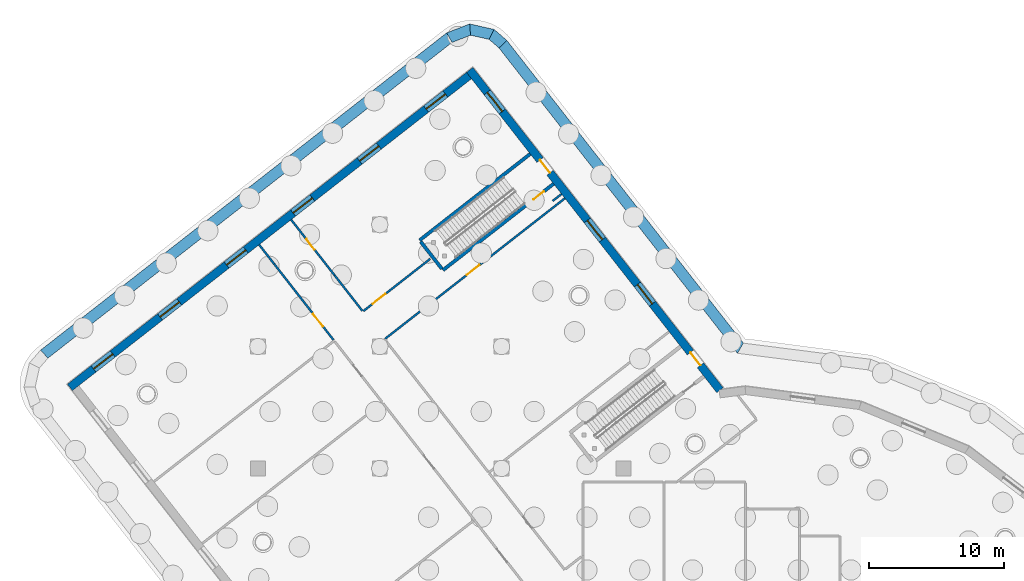
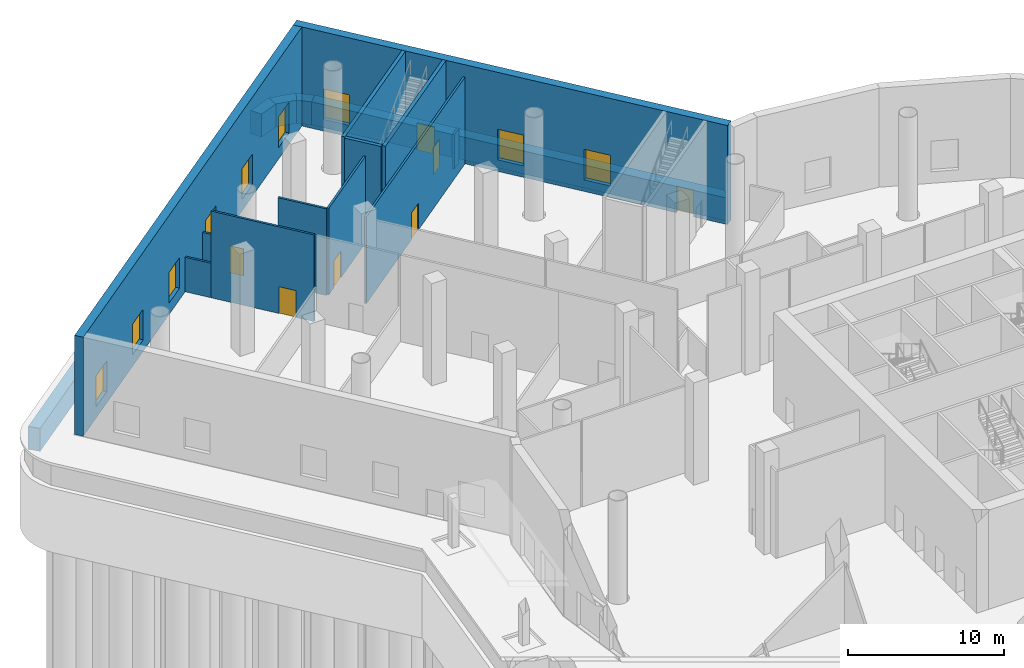
# One storey, part 18 of 34: 17 walls, 9 windows, 7 doors, 16 openings.
"""IFC4 building model written with IfcOpenShell, lengths in metres."""

from ifc_helpers import new_model, si_unit, direction, frame, frame_2d, origin, place, context, subcontext, project, spatial, polyline, rectangle, outline, extrude, material, layer, layer_set, type_object, element, fill, save


model = new_model("IFC4")

# Units and contexts
model_context = context("Model", 3, precision=1e-05, world=origin(), true_north=direction((0.0, 1.0)))
body_context = subcontext(model_context, "Body", "Model", "MODEL_VIEW")
ifc_project = project(units=[si_unit("LENGTHUNIT", "METRE"), si_unit("AREAUNIT", "SQUARE_METRE"), si_unit("VOLUMEUNIT", "CUBIC_METRE"), si_unit("PLANEANGLEUNIT", "RADIAN"), si_unit("MASSUNIT", "GRAM", prefix="KILO")], contexts=[model_context])

# Site, building, storey
site_placement = place(None, origin())
site = spatial("IfcSite", under=ifc_project, at=site_placement, CompositionType="ELEMENT")
building_placement = place(site_placement, origin())
building = spatial("IfcBuilding", under=site, at=building_placement, Name="Tarsis Ring Headquarters", CompositionType="ELEMENT")
storey_placement = place(building_placement, origin())
storey = spatial("IfcBuildingStorey", under=building, at=storey_placement, Name="L00", CompositionType="ELEMENT", Elevation=0.0)

# Walls
ifc_material_1 = material(Name="Concrete C40/50", Category="concrete")
ifc_layer_1 = layer(ifc_material_1, 0.800048828125)
ifc_layer_set_1 = layer_set([ifc_layer_1], Name="FD Plinth wall 800")
wall_type_1 = type_object("IfcWallType", Name="FD Plinth wall 800", PredefinedType="SOLIDWALL", material=ifc_layer_set_1)
wall_1_placement = place(storey_placement, frame((0.0, 0.0, -2.0)))
element("IfcWall", 1, at=wall_1_placement, inside=storey, type_object=wall_type_1, Name="Plinth wall 16", PredefinedType="SOLIDWALL", context=body_context, shape_type="SweptSolid", body=[
    extrude(outline(polyline([(-0.1513671875, 36.25244140625), (-17.6123046875, 58.601318359375), (-18.19482421875, 58.047607421875), (-0.578857421875, 35.500244140625), (-0.1513671875, 36.25244140625)])), origin(), (0.0, 0.0, 1.0), 1.800048828125),
])
wall_2_placement = place(storey_placement, frame((0.0, 0.0, -2.0)))
element("IfcWall", 2, at=wall_2_placement, inside=storey, type_object=wall_type_1, Name="Plinth wall 17", PredefinedType="SOLIDWALL", context=body_context, shape_type="SweptSolid", body=[
    extrude(outline(polyline([(-17.6123046875, 58.601318359375), (-18.556396484375, 59.418701171875), (-18.927734375, 58.68212890625), (-18.19482421875, 58.047607421875), (-17.6123046875, 58.601318359375)])), origin(), (0.0, 0.0, 1.0), 1.800048828125),
])
wall_3_placement = place(storey_placement, frame((0.0, 0.0, -2.0)))
element("IfcWall", 3, at=wall_3_placement, inside=storey, type_object=wall_type_1, Name="Plinth wall 18", PredefinedType="SOLIDWALL", context=body_context, shape_type="SweptSolid", body=[
    extrude(outline(polyline([(-18.556396484375, 59.418701171875), (-20.359375, 59.822509765625), (-20.29638671875, 58.98876953125), (-18.927734375, 58.68212890625), (-18.556396484375, 59.418701171875)])), origin(), (0.0, 0.0, 1.0), 1.800048828125),
])
wall_4_placement = place(storey_placement, frame((0.0, 0.0, -2.0)))
element("IfcWall", 4, at=wall_4_placement, inside=storey, type_object=wall_type_1, Name="Plinth wall 19", PredefinedType="SOLIDWALL", context=body_context, shape_type="SweptSolid", body=[
    extrude(outline(polyline([(-20.359375, 59.822509765625), (-22.057861328125, 59.161376953125), (-21.657958984375, 58.45849609375), (-20.29638671875, 58.98876953125), (-20.359375, 59.822509765625)])), origin(), (0.0, 0.0, 1.0), 1.800048828125),
])
wall_5_placement = place(storey_placement, frame((0.0, 0.0, -2.0)))
element("IfcWall", 5, at=wall_5_placement, inside=storey, type_object=wall_type_1, Name="Plinth wall 20", PredefinedType="SOLIDWALL", context=body_context, shape_type="SweptSolid", body=[
    extrude(outline(polyline([(-22.057861328125, 59.161376953125), (-52.05224609375, 35.727294921875), (-51.498291015625, 35.144775390625), (-21.657958984375, 58.45849609375), (-22.057861328125, 59.161376953125)])), origin(), (0.0, 0.0, 1.0), 1.800048828125),
])

# Wall, opening, door
ifc_material_2 = material(Name="Plasterboard partition")
ifc_layer_2 = layer(ifc_material_2, 0.14990234375)
ifc_layer_set_2 = layer_set([ifc_layer_2], Name="PO-PW150")
wall_type_2 = type_object("IfcWallType", Name="PO-PW150", PredefinedType="PARTITIONING", material=ifc_layer_set_2)
wall_6_placement = place(storey_placement, frame((-30.337158203125, 41.264404296875, 0.0), z_axis=(0.0, 0.0, 1.0), x_axis=(-0.615634030884, 0.788032194785, 0.0)))
wall_6 = element("IfcWall", 6, at=wall_6_placement, inside=storey, type_object=wall_type_2, Name="L00 partition wall 64", PredefinedType="PARTITIONING", context=body_context, shape_type="SweptSolid", body=[
    extrude(rectangle(XDim=5.205810546875, YDim=0.14990234375, at=frame_2d((2.60302734375, 0.0))), origin(), (0.0, 0.0, 1.0), 2.699951171875),
])
opening_1_placement = place(wall_6_placement, frame((2.391845703125, 0.0, 0.0)))
opening_1 = element("IfcOpeningElement", 7, at=opening_1_placement, cuts=wall_6, Name="Opening PO-D1A", PredefinedType="OPENING", context=body_context, shape_type="SweptSolid", body=[
    extrude(rectangle(XDim=1.0, YDim=2.10009765625, at=frame_2d((0.5, 1.050048828125))), frame((0.0, 0.0849609375, 0.0), z_axis=(0.0, -1.0, 0.0), x_axis=(1.0, 0.0, 0.0)), (0.0, 0.0, 1.0), 0.169921875),
])
ifc_material_3 = material(Name="Timber door", Category="wood")
door_type_1 = type_object("IfcDoorType", Name="PO-D1000-UNRATED", OperationType="NOTDEFINED", PredefinedType="DOOR", material=ifc_material_3)
door_1_placement = place(opening_1_placement, origin())
door_1 = element("IfcDoor", 8, at=door_1_placement, inside=storey, type_object=door_type_1, Name="Retail kiosk door", OperationType="SINGLE_SWING_LEFT", OverallHeight=2.10009765625, OverallWidth=1.0, PredefinedType="DOOR", context=body_context, shape_type="SweptSolid", body=[
    extrude(rectangle(XDim=1.0, YDim=2.10009765625, at=frame_2d((0.5, 1.050048828125))), frame((0.0, 0.02490234375, 0.0), z_axis=(0.0, -1.0, 0.0), x_axis=(1.0, 0.0, 0.0)), (0.0, 0.0, 1.0), 0.050048828125),
])
fill(opening_1, door_1)

# Walls
wall_7_placement = place(storey_placement, frame((-34.79736328125, 42.09912109375, 0.0), z_axis=(0.0, 0.0, 1.0), x_axis=(-0.614831297284, 0.788658656124, 0.0)))
element("IfcWall", 9, at=wall_7_placement, inside=storey, type_object=wall_type_2, Name="L00 partition wall 91", PredefinedType="PARTITIONING", context=body_context, shape_type="SweptSolid", body=[
    extrude(rectangle(XDim=1.802001953125, YDim=0.14990234375, at=frame_2d((0.90087890625, 0.0))), origin(), (0.0, 0.0, 1.0), 2.699951171875),
])
wall_8_placement = place(storey_placement, frame((-13.57470703125, 47.261474609375, 0.0), z_axis=(0.0, 0.0, 1.0), x_axis=(-0.788095913843, -0.615552459652, 0.0)))
element("IfcWall", 10, at=wall_8_placement, inside=storey, type_object=wall_type_2, Name="L00 partition wall 99", PredefinedType="PARTITIONING", context=body_context, shape_type="SweptSolid", body=[
    extrude(rectangle(XDim=0.82763671875, YDim=0.14990234375, at=frame_2d((0.413818359375, 0.0))), origin(), (0.0, 0.0, 1.0), 2.699951171875),
])

# Wall, opening, door
ifc_layer_3 = layer(ifc_material_2, 0.14990234375)
ifc_layer_set_3 = layer_set([ifc_layer_3], Name="PO-PW150R-6783")
wall_type_3 = type_object("IfcWallType", Name="PO-PW150R-6783", PredefinedType="PARTITIONING", material=ifc_layer_set_3)
wall_9_placement = place(storey_placement, frame((-13.3271484375, 46.944580078125, 0.0), z_axis=(0.0, 0.0, 1.0), x_axis=(-0.788009225699, -0.615663430953, 0.0)))
wall_9 = element("IfcWall", 11, at=wall_9_placement, inside=storey, type_object=wall_type_3, Name="L00 partition wall 5", PredefinedType="PARTITIONING", context=body_context, shape_type="SweptSolid", body=[
    extrude(rectangle(XDim=16.860107421875, YDim=0.14990234375, at=frame_2d((8.43017578125, 0.0))), origin(), (0.0, 0.0, 1.0), 6.782958984375),
])
opening_2_placement = place(wall_9_placement, frame((7.99560546875, 0.0, 0.0)))
opening_2 = element("IfcOpeningElement", 12, at=opening_2_placement, cuts=wall_9, Name="Opening PO-D2", PredefinedType="OPENING", context=body_context, shape_type="SweptSolid", body=[
    extrude(rectangle(XDim=1.199951171875, YDim=2.10009765625, at=frame_2d((0.60009765625, 1.050048828125))), frame((0.0, 0.0849609375, 0.0), z_axis=(0.0, -1.0, 0.0), x_axis=(1.0, 0.0, 0.0)), (0.0, 0.0, 1.0), 0.169921875),
])
door_type_2 = type_object("IfcDoorType", Name="PO-D1200", OperationType="NOTDEFINED", PredefinedType="DOOR", material=ifc_material_3)
door_2_placement = place(opening_2_placement, origin())
door_2 = element("IfcDoor", 13, at=door_2_placement, inside=storey, type_object=door_type_2, Name="Gallery cafe door", OperationType="SINGLE_SWING_RIGHT", OverallHeight=2.10009765625, OverallWidth=1.199951171875, PredefinedType="DOOR", context=body_context, shape_type="SweptSolid", body=[
    extrude(rectangle(XDim=1.199951171875, YDim=2.10009765625, at=frame_2d((0.60009765625, 1.050048828125))), frame((0.0, 0.02490234375, 0.0), z_axis=(0.0, -1.0, 0.0), x_axis=(1.0, 0.0, 0.0)), (0.0, 0.0, 1.0), 0.050048828125),
])
fill(opening_2, door_2)

wall_10_placement = place(storey_placement, frame((-30.41650390625, 36.49169921875, 0.0), z_axis=(0.0, 0.0, 1.0), x_axis=(-0.615649368355, 0.788020212459, 0.0)))
wall_10 = element("IfcWall", 14, at=wall_10_placement, inside=storey, type_object=wall_type_3, Name="L00 partition wall 44", PredefinedType="PARTITIONING", context=body_context, shape_type="SweptSolid", body=[
    extrude(rectangle(XDim=7.11572265625, YDim=0.14990234375, at=frame_2d((3.557861328125, 0.0))), origin(), (0.0, 0.0, 1.0), 6.782958984375),
])
opening_3_placement = place(wall_10_placement, frame((1.241943359375, 0.0, 0.0)))
opening_3 = element("IfcOpeningElement", 15, at=opening_3_placement, cuts=wall_10, Name="Opening PO-D2", PredefinedType="OPENING", context=body_context, shape_type="SweptSolid", body=[
    extrude(rectangle(XDim=1.199951171875, YDim=2.10009765625, at=frame_2d((0.60009765625, 1.050048828125))), frame((0.0, 0.0849609375, 0.0), z_axis=(0.0, -1.0, 0.0), x_axis=(1.0, 0.0, 0.0)), (0.0, 0.0, 1.0), 0.169921875),
])
door_3_placement = place(opening_3_placement, origin())
door_3 = element("IfcDoor", 16, at=door_3_placement, inside=storey, type_object=door_type_2, Name="Curatorial office door", OperationType="SINGLE_SWING_RIGHT", OverallHeight=2.10009765625, OverallWidth=1.199951171875, PredefinedType="DOOR", context=body_context, shape_type="SweptSolid", body=[
    extrude(rectangle(XDim=1.199951171875, YDim=2.10009765625, at=frame_2d((0.60009765625, 1.050048828125))), frame((0.0, 0.02490234375, 0.0), z_axis=(0.0, -1.0, 0.0), x_axis=(1.0, 0.0, 0.0)), (0.0, 0.0, 1.0), 0.050048828125),
])
fill(opening_3, door_3)

wall_11_placement = place(storey_placement, frame((-28.2138671875, 38.61328125, 0.0), z_axis=(0.0, 0.0, 1.0), x_axis=(0.788015523673, 0.61565536987, 0.0)))
wall_11 = element("IfcWall", 17, at=wall_11_placement, inside=storey, type_object=wall_type_3, Name="L00 partition wall 52", PredefinedType="PARTITIONING", context=body_context, shape_type="SweptSolid", body=[
    extrude(rectangle(XDim=6.2734375, YDim=0.14990234375, at=frame_2d((3.13671875, 0.0))), origin(), (0.0, 0.0, 1.0), 6.782958984375),
])
opening_4_placement = place(wall_11_placement, frame((0.8837890625, 0.0, 0.0)))
opening_4 = element("IfcOpeningElement", 18, at=opening_4_placement, cuts=wall_11, Name="Opening PO-D2", PredefinedType="OPENING", context=body_context, shape_type="SweptSolid", body=[
    extrude(rectangle(XDim=1.199951171875, YDim=2.10009765625, at=frame_2d((0.60009765625, 1.050048828125))), frame((0.0, 0.0849609375, 0.0), z_axis=(0.0, -1.0, 0.0), x_axis=(1.0, 0.0, 0.0)), (0.0, 0.0, 1.0), 0.169921875),
])
door_4_placement = place(opening_4_placement, origin())
door_4 = element("IfcDoor", 19, at=door_4_placement, inside=storey, type_object=door_type_2, Name="Exhibition gallery door", OperationType="SINGLE_SWING_LEFT", OverallHeight=2.10009765625, OverallWidth=1.199951171875, PredefinedType="DOOR", context=body_context, shape_type="SweptSolid", body=[
    extrude(rectangle(XDim=1.199951171875, YDim=2.10009765625, at=frame_2d((0.60009765625, 1.050048828125))), frame((0.0, 0.02490234375, 0.0), z_axis=(0.0, -1.0, 0.0), x_axis=(1.0, 0.0, 0.0)), (0.0, 0.0, 1.0), 0.050048828125),
])
fill(opening_4, door_4)

# Wall
wall_12_placement = place(storey_placement, frame((-30.336181640625, 41.26513671875, 0.0), z_axis=(0.0, 0.0, 1.0), x_axis=(0.615631261575, -0.788034358243, 0.0)))
element("IfcWall", 20, at=wall_12_placement, inside=storey, type_object=wall_type_3, Name="L00 partition wall 69", PredefinedType="PARTITIONING", context=body_context, shape_type="SweptSolid", body=[
    extrude(rectangle(XDim=3.33642578125, YDim=0.14990234375, at=frame_2d((1.668212890625, 0.0))), origin(), (0.0, 0.0, 1.0), 6.782958984375),
])

# Wall, opening, door
ifc_layer_4 = layer(ifc_material_1, 0.25)
ifc_layer_set_4 = layer_set([ifc_layer_4], Name="PO-W250")
wall_type_4 = type_object("IfcWallType", Name="PO-W250", PredefinedType="SOLIDWALL", material=ifc_layer_set_4)
wall_13_placement = place(storey_placement, frame((-14.163818359375, 48.015380859375, 0.0), z_axis=(0.0, 0.0, 1.0), x_axis=(-0.788278990398, -0.61531799364, 0.0)))
wall_13 = element("IfcWall", 21, at=wall_13_placement, inside=storey, type_object=wall_type_4, Name="L00 shaft wall 19", PredefinedType="SOLIDWALL", context=body_context, shape_type="SweptSolid", body=[
    extrude(rectangle(XDim=10.362060546875, YDim=0.25, at=frame_2d((5.18115234375, 0.0))), origin(), (0.0, 0.0, 1.0), 7.75),
])
opening_5_placement = place(wall_13_placement, frame((0.89697265625, 0.0, 0.0)))
opening_5 = element("IfcOpeningElement", 22, at=opening_5_placement, cuts=wall_13, Name="Opening PO-D3", PredefinedType="OPENING", context=body_context, shape_type="SweptSolid", body=[
    extrude(rectangle(XDim=1.0, YDim=2.10009765625, at=frame_2d((0.5, 1.050048828125))), frame((0.0, 0.135009765625, 0.0), z_axis=(0.0, -1.0, 0.0), x_axis=(1.0, 0.0, 0.0)), (0.0, 0.0, 1.0), 0.27001953125),
])
ifc_material_4 = material(Name="Steel fire door", Category="steel")
door_type_3 = type_object("IfcDoorType", Name="PO-D1000F", OperationType="SINGLE_SWING_LEFT", PredefinedType="DOOR", material=ifc_material_4)
door_5_placement = place(opening_5_placement, origin())
door_5 = element("IfcDoor", 23, at=door_5_placement, inside=storey, type_object=door_type_3, Name="Exit stair 4 door", OperationType="SINGLE_SWING_LEFT", OverallHeight=2.10009765625, OverallWidth=1.0, PredefinedType="DOOR", context=body_context, shape_type="SweptSolid", body=[
    extrude(rectangle(XDim=1.0, YDim=2.10009765625, at=frame_2d((0.5, 1.050048828125))), frame((0.0, 0.02490234375, 0.0), z_axis=(0.0, -1.0, 0.0), x_axis=(1.0, 0.0, 0.0)), (0.0, 0.0, 1.0), 0.050048828125),
])
fill(opening_5, door_5)

# Walls
wall_14_placement = place(storey_placement, frame((-24.054931640625, 43.8466796875, 0.0), z_axis=(0.0, 0.0, 1.0), x_axis=(0.788277592166, 0.615319784899, 0.0)))
element("IfcWall", 24, at=wall_14_placement, inside=storey, type_object=wall_type_4, Name="L00 shaft wall 20", PredefinedType="SOLIDWALL", context=body_context, shape_type="SweptSolid", body=[
    extrude(rectangle(XDim=10.36083984375, YDim=0.25, at=frame_2d((5.180419921875, 0.0))), origin(), (0.0, 0.0, 1.0), 7.75),
])
wall_15_placement = place(storey_placement, frame((-22.412109375, 41.741943359375, 0.0), z_axis=(0.0, 0.0, 1.0), x_axis=(-0.615283967859, 0.788305549197, 0.0)))
element("IfcWall", 25, at=wall_15_placement, inside=storey, type_object=wall_type_4, Name="L00 shaft wall 83", PredefinedType="SOLIDWALL", context=body_context, shape_type="SweptSolid", body=[
    extrude(rectangle(XDim=2.539794921875, YDim=0.25, at=frame_2d((1.27001953125, 0.0))), origin(), (0.0, 0.0, 1.0), 7.75),
])

# Wall, openings, doors, windows
ifc_material_5 = material(Name="Concrete C60/75", Category="concrete")
ifc_layer_5 = layer(ifc_material_5, 0.60009765625)
ifc_layer_set_5 = layer_set([ifc_layer_5], Name="PO-W600")
wall_type_5 = type_object("IfcWallType", Name="PO-W600", PredefinedType="SOLIDWALL", material=ifc_layer_set_5)
wall_16_placement = place(storey_placement, frame((-20.35693359375, 56.429443359375, 0.0), z_axis=(0.0, 0.0, 1.0), x_axis=(0.615664714742, -0.788008222687, 0.0)))
wall_16 = element("IfcWall", 26, at=wall_16_placement, inside=storey, type_object=wall_type_5, Name="L00 external wall 23", PredefinedType="SOLIDWALL", context=body_context, shape_type="SweptSolid", body=[
    extrude(rectangle(XDim=30.02197265625, YDim=0.60009765625, at=frame_2d((15.010986328125, 0.0))), origin(), (0.0, 0.0, 1.0), 7.75),
])
opening_6_placement = place(wall_16_placement, frame((20.115234375, 0.0, 0.89990234375)))
opening_6 = element("IfcOpeningElement", 27, at=opening_6_placement, cuts=wall_16, Name="Opening PO-WN1", PredefinedType="OPENING", context=body_context, shape_type="SweptSolid", body=[
    extrude(rectangle(XDim=1.800048828125, YDim=2.39990234375, at=frame_2d((0.89990234375, 1.199951171875))), frame((0.0, 0.31005859375, 0.0), z_axis=(0.0, -1.0, 0.0), x_axis=(1.0, 0.0, 0.0)), (0.0, 0.0, 1.0), 0.6201171875),
])
opening_7_placement = place(wall_16_placement, frame((14.111083984375, 0.0, 0.89990234375)))
opening_7 = element("IfcOpeningElement", 28, at=opening_7_placement, cuts=wall_16, Name="Opening PO-WN1", PredefinedType="OPENING", context=body_context, shape_type="SweptSolid", body=[
    extrude(rectangle(XDim=1.800048828125, YDim=2.39990234375, at=frame_2d((0.89990234375, 1.199951171875))), frame((0.0, 0.31005859375, 0.0), z_axis=(0.0, -1.0, 0.0), x_axis=(1.0, 0.0, 0.0)), (0.0, 0.0, 1.0), 0.6201171875),
])
opening_8_placement = place(wall_16_placement, frame((2.102294921875, 0.0, 0.89990234375)))
opening_8 = element("IfcOpeningElement", 29, at=opening_8_placement, cuts=wall_16, Name="Opening PO-WN1", PredefinedType="OPENING", context=body_context, shape_type="SweptSolid", body=[
    extrude(rectangle(XDim=1.800048828125, YDim=2.39990234375, at=frame_2d((0.89990234375, 1.199951171875))), frame((0.0, 0.31005859375, 0.0), z_axis=(0.0, -1.0, 0.0), x_axis=(1.0, 0.0, 0.0)), (0.0, 0.0, 1.0), 0.6201171875),
])
opening_9_placement = place(wall_16_placement, frame((26.480224609375, 0.0, 0.0)))
opening_9 = element("IfcOpeningElement", 30, at=opening_9_placement, cuts=wall_16, Name="Opening PO-D6", PredefinedType="OPENING", context=body_context, shape_type="SweptSolid", body=[
    extrude(rectangle(XDim=1.199951171875, YDim=2.10009765625, at=frame_2d((0.60009765625, 1.050048828125))), frame((0.0, 0.31005859375, 0.0), z_axis=(0.0, -1.0, 0.0), x_axis=(1.0, 0.0, 0.0)), (0.0, 0.0, 1.0), 0.6201171875),
])
opening_10_placement = place(wall_16_placement, frame((8.44091796875, 0.0, 0.0)))
opening_10 = element("IfcOpeningElement", 31, at=opening_10_placement, cuts=wall_16, Name="Opening PO-D6", PredefinedType="OPENING", context=body_context, shape_type="SweptSolid", body=[
    extrude(rectangle(XDim=1.199951171875, YDim=2.10009765625, at=frame_2d((0.60009765625, 1.050048828125))), frame((0.0, 0.31005859375, 0.0), z_axis=(0.0, -1.0, 0.0), x_axis=(1.0, 0.0, 0.0)), (0.0, 0.0, 1.0), 0.6201171875),
])
ifc_material_6 = material(Name="Steel door", Category="steel")
door_type_4 = type_object("IfcDoorType", Name="PO-D1200X", OperationType="SINGLE_SWING_RIGHT", PredefinedType="DOOR", material=ifc_material_6)
door_6_placement = place(opening_9_placement, origin())
door_6 = element("IfcDoor", 32, at=door_6_placement, inside=storey, type_object=door_type_4, Name="Exit stair 3 discharge door", OperationType="SINGLE_SWING_RIGHT", OverallHeight=2.10009765625, OverallWidth=1.199951171875, PredefinedType="DOOR", context=body_context, shape_type="SweptSolid", body=[
    extrude(rectangle(XDim=1.199951171875, YDim=2.10009765625, at=frame_2d((0.60009765625, 1.050048828125))), frame((0.0, 0.02490234375, 0.0), z_axis=(0.0, -1.0, 0.0), x_axis=(1.0, 0.0, 0.0)), (0.0, 0.0, 1.0), 0.050048828125),
])
fill(opening_9, door_6)
door_7_placement = place(opening_10_placement, origin())
door_7 = element("IfcDoor", 33, at=door_7_placement, inside=storey, type_object=door_type_4, Name="Exit stair 4 discharge door", OperationType="SINGLE_SWING_RIGHT", OverallHeight=2.10009765625, OverallWidth=1.199951171875, PredefinedType="DOOR", context=body_context, shape_type="SweptSolid", body=[
    extrude(rectangle(XDim=1.199951171875, YDim=2.10009765625, at=frame_2d((0.60009765625, 1.050048828125))), frame((0.0, 0.02490234375, 0.0), z_axis=(0.0, -1.0, 0.0), x_axis=(1.0, 0.0, 0.0)), (0.0, 0.0, 1.0), 0.050048828125),
])
fill(opening_10, door_7)
ifc_material_7 = material(Name="Double glazing", Category="glass")
window_type = type_object("IfcWindowType", Name="PO-WN1800", PartitioningType="SINGLE_PANEL", PredefinedType="WINDOW", material=ifc_material_7)
window_1_placement = place(opening_6_placement, origin())
window_1 = element("IfcWindow", 34, at=window_1_placement, inside=storey, type_object=window_type, Name="L00 window 23.1", OverallHeight=2.39990234375, OverallWidth=1.800048828125, PartitioningType="SINGLE_PANEL", PredefinedType="WINDOW", context=body_context, shape_type="SweptSolid", body=[
    extrude(rectangle(XDim=1.800048828125, YDim=2.39990234375, at=frame_2d((0.89990234375, 1.199951171875))), frame((0.0, 0.030029296875, 0.0), z_axis=(0.0, -1.0, 0.0), x_axis=(1.0, 0.0, 0.0)), (0.0, 0.0, 1.0), 0.06005859375),
])
fill(opening_6, window_1)
window_2_placement = place(opening_7_placement, origin())
window_2 = element("IfcWindow", 35, at=window_2_placement, inside=storey, type_object=window_type, Name="L00 window 23.2", OverallHeight=2.39990234375, OverallWidth=1.800048828125, PartitioningType="SINGLE_PANEL", PredefinedType="WINDOW", context=body_context, shape_type="SweptSolid", body=[
    extrude(rectangle(XDim=1.800048828125, YDim=2.39990234375, at=frame_2d((0.89990234375, 1.199951171875))), frame((0.0, 0.030029296875, 0.0), z_axis=(0.0, -1.0, 0.0), x_axis=(1.0, 0.0, 0.0)), (0.0, 0.0, 1.0), 0.06005859375),
])
fill(opening_7, window_2)
window_3_placement = place(opening_8_placement, origin())
window_3 = element("IfcWindow", 36, at=window_3_placement, inside=storey, type_object=window_type, Name="L00 window 23.3", OverallHeight=2.39990234375, OverallWidth=1.800048828125, PartitioningType="SINGLE_PANEL", PredefinedType="WINDOW", context=body_context, shape_type="SweptSolid", body=[
    extrude(rectangle(XDim=1.800048828125, YDim=2.39990234375, at=frame_2d((0.89990234375, 1.199951171875))), frame((0.0, 0.030029296875, 0.0), z_axis=(0.0, -1.0, 0.0), x_axis=(1.0, 0.0, 0.0)), (0.0, 0.0, 1.0), 0.06005859375),
])
fill(opening_8, window_3)

# Wall, openings, windows
wall_17_placement = place(storey_placement, frame((-20.40869140625, 56.00830078125, 0.0), z_axis=(0.0, 0.0, 1.0), x_axis=(-0.788010419186, -0.615661903365, 0.0)))
wall_17 = element("IfcWall", 37, at=wall_17_placement, inside=storey, type_object=wall_type_5, Name="L00 external wall 24", PredefinedType="SOLIDWALL", context=body_context, shape_type="SweptSolid", body=[
    extrude(rectangle(XDim=37.39990234375, YDim=0.60009765625, at=frame_2d((18.699951171875, 0.0))), origin(), (0.0, 0.0, 1.0), 7.75),
])
opening_11_placement = place(wall_17_placement, frame((2.216552734375, 0.0, 0.89990234375)))
opening_11 = element("IfcOpeningElement", 38, at=opening_11_placement, cuts=wall_17, Name="Opening PO-WN1", PredefinedType="OPENING", context=body_context, shape_type="SweptSolid", body=[
    extrude(rectangle(XDim=1.800048828125, YDim=2.39990234375, at=frame_2d((0.89990234375, 1.199951171875))), frame((0.0, 0.31005859375, 0.0), z_axis=(0.0, -1.0, 0.0), x_axis=(1.0, 0.0, 0.0)), (0.0, 0.0, 1.0), 0.6201171875),
])
opening_12_placement = place(wall_17_placement, frame((8.449951171875, 0.0, 0.89990234375)))
opening_12 = element("IfcOpeningElement", 39, at=opening_12_placement, cuts=wall_17, Name="Opening PO-WN1", PredefinedType="OPENING", context=body_context, shape_type="SweptSolid", body=[
    extrude(rectangle(XDim=1.800048828125, YDim=2.39990234375, at=frame_2d((0.89990234375, 1.199951171875))), frame((0.0, 0.31005859375, 0.0), z_axis=(0.0, -1.0, 0.0), x_axis=(1.0, 0.0, 0.0)), (0.0, 0.0, 1.0), 0.6201171875),
])
opening_13_placement = place(wall_17_placement, frame((14.683349609375, 0.0, 0.89990234375)))
opening_13 = element("IfcOpeningElement", 40, at=opening_13_placement, cuts=wall_17, Name="Opening PO-WN1", PredefinedType="OPENING", context=body_context, shape_type="SweptSolid", body=[
    extrude(rectangle(XDim=1.800048828125, YDim=2.39990234375, at=frame_2d((0.89990234375, 1.199951171875))), frame((0.0, 0.31005859375, 0.0), z_axis=(0.0, -1.0, 0.0), x_axis=(1.0, 0.0, 0.0)), (0.0, 0.0, 1.0), 0.6201171875),
])
opening_14_placement = place(wall_17_placement, frame((20.916748046875, 0.0, 0.89990234375)))
opening_14 = element("IfcOpeningElement", 41, at=opening_14_placement, cuts=wall_17, Name="Opening PO-WN1", PredefinedType="OPENING", context=body_context, shape_type="SweptSolid", body=[
    extrude(rectangle(XDim=1.800048828125, YDim=2.39990234375, at=frame_2d((0.89990234375, 1.199951171875))), frame((0.0, 0.31005859375, 0.0), z_axis=(0.0, -1.0, 0.0), x_axis=(1.0, 0.0, 0.0)), (0.0, 0.0, 1.0), 0.6201171875),
])
opening_15_placement = place(wall_17_placement, frame((27.14990234375, 0.0, 0.89990234375)))
opening_15 = element("IfcOpeningElement", 42, at=opening_15_placement, cuts=wall_17, Name="Opening PO-WN1", PredefinedType="OPENING", context=body_context, shape_type="SweptSolid", body=[
    extrude(rectangle(XDim=1.800048828125, YDim=2.39990234375, at=frame_2d((0.89990234375, 1.199951171875))), frame((0.0, 0.31005859375, 0.0), z_axis=(0.0, -1.0, 0.0), x_axis=(1.0, 0.0, 0.0)), (0.0, 0.0, 1.0), 0.6201171875),
])
opening_16_placement = place(wall_17_placement, frame((33.38330078125, 0.0, 0.89990234375)))
opening_16 = element("IfcOpeningElement", 43, at=opening_16_placement, cuts=wall_17, Name="Opening PO-WN1", PredefinedType="OPENING", context=body_context, shape_type="SweptSolid", body=[
    extrude(rectangle(XDim=1.800048828125, YDim=2.39990234375, at=frame_2d((0.89990234375, 1.199951171875))), frame((0.0, 0.31005859375, 0.0), z_axis=(0.0, -1.0, 0.0), x_axis=(1.0, 0.0, 0.0)), (0.0, 0.0, 1.0), 0.6201171875),
])
window_4_placement = place(opening_11_placement, origin())
window_4 = element("IfcWindow", 44, at=window_4_placement, inside=storey, type_object=window_type, Name="L00 window 24.1", OverallHeight=2.39990234375, OverallWidth=1.800048828125, PartitioningType="SINGLE_PANEL", PredefinedType="WINDOW", context=body_context, shape_type="SweptSolid", body=[
    extrude(rectangle(XDim=1.800048828125, YDim=2.39990234375, at=frame_2d((0.89990234375, 1.199951171875))), frame((0.0, 0.030029296875, 0.0), z_axis=(0.0, -1.0, 0.0), x_axis=(1.0, 0.0, 0.0)), (0.0, 0.0, 1.0), 0.06005859375),
])
fill(opening_11, window_4)
window_5_placement = place(opening_12_placement, origin())
window_5 = element("IfcWindow", 45, at=window_5_placement, inside=storey, type_object=window_type, Name="L00 window 24.2", OverallHeight=2.39990234375, OverallWidth=1.800048828125, PartitioningType="SINGLE_PANEL", PredefinedType="WINDOW", context=body_context, shape_type="SweptSolid", body=[
    extrude(rectangle(XDim=1.800048828125, YDim=2.39990234375, at=frame_2d((0.89990234375, 1.199951171875))), frame((0.0, 0.030029296875, 0.0), z_axis=(0.0, -1.0, 0.0), x_axis=(1.0, 0.0, 0.0)), (0.0, 0.0, 1.0), 0.06005859375),
])
fill(opening_12, window_5)
window_6_placement = place(opening_13_placement, origin())
window_6 = element("IfcWindow", 46, at=window_6_placement, inside=storey, type_object=window_type, Name="L00 window 24.3", OverallHeight=2.39990234375, OverallWidth=1.800048828125, PartitioningType="SINGLE_PANEL", PredefinedType="WINDOW", context=body_context, shape_type="SweptSolid", body=[
    extrude(rectangle(XDim=1.800048828125, YDim=2.39990234375, at=frame_2d((0.89990234375, 1.199951171875))), frame((0.0, 0.030029296875, 0.0), z_axis=(0.0, -1.0, 0.0), x_axis=(1.0, 0.0, 0.0)), (0.0, 0.0, 1.0), 0.06005859375),
])
fill(opening_13, window_6)
window_7_placement = place(opening_14_placement, origin())
window_7 = element("IfcWindow", 47, at=window_7_placement, inside=storey, type_object=window_type, Name="L00 window 24.4", OverallHeight=2.39990234375, OverallWidth=1.800048828125, PartitioningType="SINGLE_PANEL", PredefinedType="WINDOW", context=body_context, shape_type="SweptSolid", body=[
    extrude(rectangle(XDim=1.800048828125, YDim=2.39990234375, at=frame_2d((0.89990234375, 1.199951171875))), frame((0.0, 0.030029296875, 0.0), z_axis=(0.0, -1.0, 0.0), x_axis=(1.0, 0.0, 0.0)), (0.0, 0.0, 1.0), 0.06005859375),
])
fill(opening_14, window_7)
window_8_placement = place(opening_15_placement, origin())
window_8 = element("IfcWindow", 48, at=window_8_placement, inside=storey, type_object=window_type, Name="L00 window 24.5", OverallHeight=2.39990234375, OverallWidth=1.800048828125, PartitioningType="SINGLE_PANEL", PredefinedType="WINDOW", context=body_context, shape_type="SweptSolid", body=[
    extrude(rectangle(XDim=1.800048828125, YDim=2.39990234375, at=frame_2d((0.89990234375, 1.199951171875))), frame((0.0, 0.030029296875, 0.0), z_axis=(0.0, -1.0, 0.0), x_axis=(1.0, 0.0, 0.0)), (0.0, 0.0, 1.0), 0.06005859375),
])
fill(opening_15, window_8)
window_9_placement = place(opening_16_placement, origin())
window_9 = element("IfcWindow", 49, at=window_9_placement, inside=storey, type_object=window_type, Name="L00 window 24.6", OverallHeight=2.39990234375, OverallWidth=1.800048828125, PartitioningType="SINGLE_PANEL", PredefinedType="WINDOW", context=body_context, shape_type="SweptSolid", body=[
    extrude(rectangle(XDim=1.800048828125, YDim=2.39990234375, at=frame_2d((0.89990234375, 1.199951171875))), frame((0.0, 0.030029296875, 0.0), z_axis=(0.0, -1.0, 0.0), x_axis=(1.0, 0.0, 0.0)), (0.0, 0.0, 1.0), 0.06005859375),
])
fill(opening_16, window_9)

save(model, "model.ifc")
